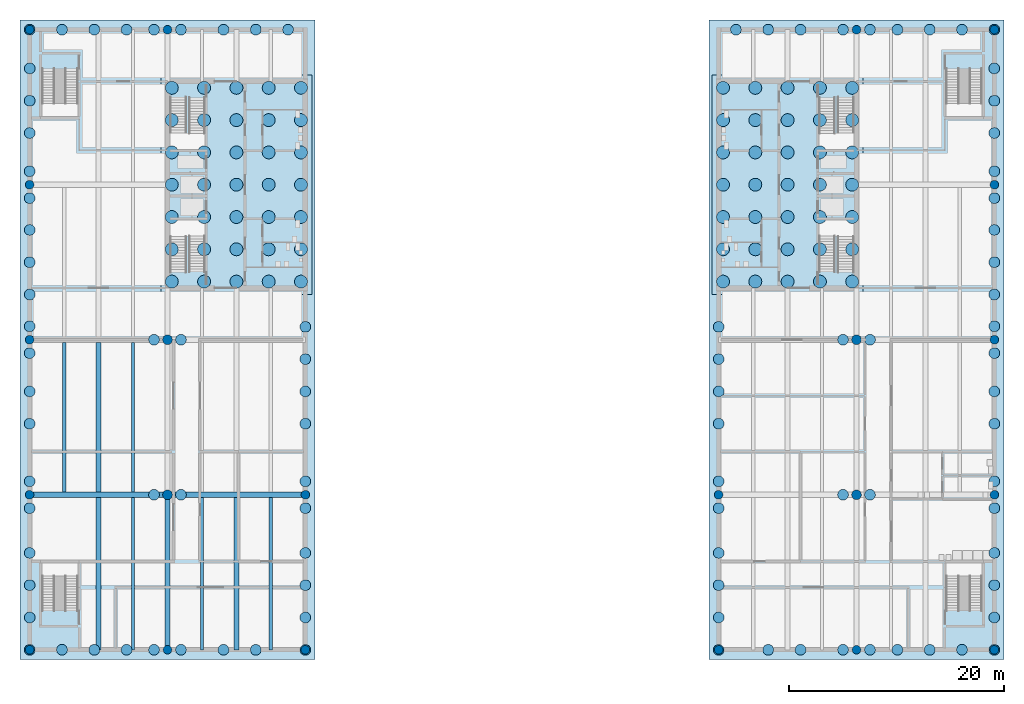
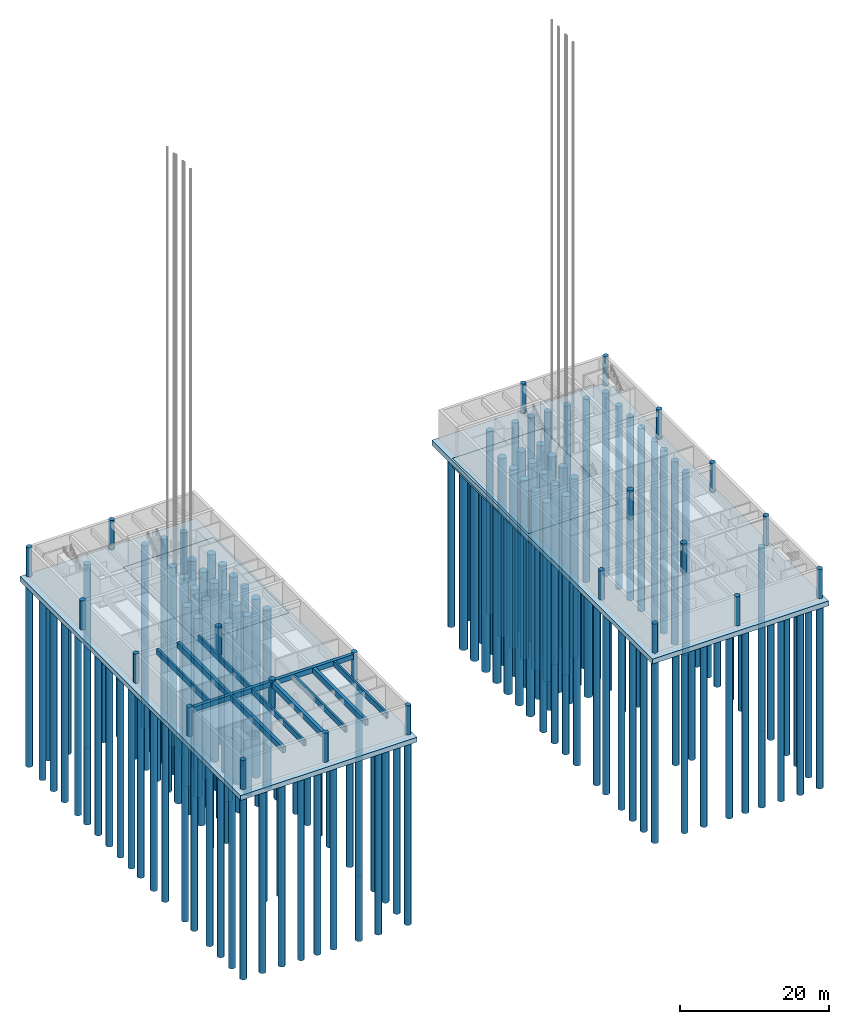
# One storey, part 1 of 24: 166 piles, 22 columns, 11 beams, 4 footings.
"""IFC4 building model written with IfcOpenShell, lengths in metres."""

from ifc_helpers import new_model, si_unit, direction, frame, origin, origin_2d, place, context, subcontext, project, spatial, polyline, rectangle, circle, outline, extrude, material, layer, layer_set, material_profile, profile_set, type_object, element, save


model = new_model("IFC4")

# Units and contexts
model_context = context("Model", 3, precision=1e-05, world=origin(), true_north=direction((0.0, 1.0)))
body_context = subcontext(model_context, "Body", "Model", "MODEL_VIEW")
ifc_project = project(units=[si_unit("LENGTHUNIT", "METRE"), si_unit("AREAUNIT", "SQUARE_METRE"), si_unit("VOLUMEUNIT", "CUBIC_METRE"), si_unit("PLANEANGLEUNIT", "RADIAN"), si_unit("MASSUNIT", "GRAM", prefix="KILO")], contexts=[model_context])

# Site, building, storey
site_placement = place(None, origin())
site = spatial("IfcSite", under=ifc_project, at=site_placement, CompositionType="ELEMENT")
building_placement = place(site_placement, origin())
building = spatial("IfcBuilding", under=site, at=building_placement, Name="Fogon Plaza Fire Station and Headquarters Tower", CompositionType="ELEMENT")
storey_placement = place(building_placement, frame((0.0, 0.0, -4.800048828125)))
storey = spatial("IfcBuildingStorey", under=building, at=storey_placement, Name="B1", CompositionType="ELEMENT", Elevation=-4.800048828125)

# Piles
ifc_material_1 = material(Name="Concrete C40", Category="concrete")
ifc_material_profile_1 = material_profile(ifc_material_1, circle(Radius=0.5, at=origin_2d()), Name="RC D1000")
ifc_profile_set_1 = profile_set([ifc_material_profile_1], Name="Concrete C40")
pile_type_1 = type_object("IfcPileType", Name="PILE RC D1000", PredefinedType="BORED", material=ifc_profile_set_1)
for number, where, z_axis, x_axis, name in (
    (1, (0.0, 0.0, -1.099853515625), (0.0, 0.0, -1.0), (1.0, 0.0, 0.0), "pile-raftW-01"),
    (2, (0.0, 13.14990234375, -1.099853515625), (0.0, 0.0, -1.0), (1.0, 0.0, 0.0), "pile-raftW-02"),
    (3, (0.0, 15.64990234375, -1.099853515625), (0.0, 0.0, -1.0), (1.0, 0.0, 0.0), "pile-raftW-03"),
    (4, (0.0, 27.550048828125, -1.099853515625), (0.0, 0.0, -1.0), (1.0, 0.0, 0.0), "pile-raftW-04"),
    (5, (0.0, 30.050048828125, -1.099853515625), (0.0, 0.0, -1.0), (1.0, 0.0, 0.0), "pile-raftW-05"),
    (6, (0.0, 41.949951171875, -1.099853515625), (0.0, 0.0, -1.0), (1.0, 0.0, 0.0), "pile-raftW-06"),
    (7, (0.0, 44.449951171875, -1.099853515625), (0.0, 0.0, -1.0), (1.0, 0.0, 0.0), "pile-raftW-07"),
    (8, (0.0, 57.60009765625, -1.099853515625), (0.0, 0.0, -1.0), (1.0, 0.0, 0.0), "pile-raftW-08"),
    (9, (11.550048828125, 0.0, -1.099853515625), (0.0, 0.0, -1.0), (1.0, 0.0, 0.0), "pile-raftW-09"),
    (10, (14.050048828125, 0.0, -1.099853515625), (0.0, 0.0, -1.0), (1.0, 0.0, 0.0), "pile-raftW-10"),
    (11, (11.550048828125, 14.39990234375, -1.099853515625), (0.0, 0.0, -1.0), (1.0, 0.0, 0.0), "pile-raftW-11"),
    (12, (14.050048828125, 14.39990234375, -1.099853515625), (0.0, 0.0, -1.0), (1.0, 0.0, 0.0), "pile-raftW-12"),
    (13, (11.550048828125, 28.800048828125, -1.099853515625), (0.0, 0.0, -1.0), (1.0, 0.0, 0.0), "pile-raftW-13"),
    (14, (14.050048828125, 28.800048828125, -1.099853515625), (0.0, 0.0, -1.0), (1.0, 0.0, 0.0), "pile-raftW-14"),
    (15, (11.550048828125, 57.60009765625, -1.099853515625), (0.0, 0.0, -1.0), (1.0, 0.0, 0.0), "pile-raftW-15"),
    (16, (14.050048828125, 57.60009765625, -1.099853515625), (0.0, 0.0, -1.0), (1.0, 0.0, 0.0), "pile-raftW-16"),
    (17, (25.60009765625, 0.0, -1.099853515625), (0.0, 0.0, -1.0), (1.0, 0.0, 0.0), "pile-raftW-17"),
    (18, (25.60009765625, 13.14990234375, -1.099853515625), (0.0, 0.0, -1.0), (1.0, 0.0, 0.0), "pile-raftW-18"),
    (19, (25.60009765625, 15.64990234375, -1.099853515625), (0.0, 0.0, -1.0), (1.0, 0.0, 0.0), "pile-raftW-19"),
    (20, (89.60009765625, 0.0, -1.099853515625), (0.0, 0.0, -1.0), (1.0, 0.0, 0.0), "pile-raftE-01"),
    (21, (89.60009765625, 13.14990234375, -1.099853515625), (0.0, 0.0, -1.0), (1.0, 0.0, 0.0), "pile-raftE-02"),
    (22, (89.60009765625, 15.64990234375, -1.099853515625), (0.0, 0.0, -1.0), (1.0, 0.0, 0.0), "pile-raftE-03"),
    (23, (89.60009765625, 27.550048828125, -1.099853515625), (0.0, 0.0, -1.0), (1.0, 0.0, 0.0), "pile-raftE-04"),
    (24, (89.60009765625, 30.050048828125, -1.099853515625), (0.0, 0.0, -1.0), (1.0, 0.0, 0.0), "pile-raftE-05"),
    (25, (89.60009765625, 41.949951171875, -1.099853515625), (0.0, 0.0, -1.0), (1.0, 0.0, 0.0), "pile-raftE-06"),
    (26, (89.60009765625, 44.449951171875, -1.099853515625), (0.0, 0.0, -1.0), (1.0, 0.0, 0.0), "pile-raftE-07"),
    (27, (89.60009765625, 57.60009765625, -1.099853515625), (0.0, 0.0, -1.0), (1.0, 0.0, 0.0), "pile-raftE-08"),
    (28, (75.550048828125, 0.0, -1.099853515625), (0.0, 0.0, -1.0), (1.0, 0.0, 0.0), "pile-raftE-09"),
    (29, (78.050048828125, 0.0, -1.099853515625), (0.0, 0.0, -1.0), (1.0, 0.0, 0.0), "pile-raftE-10"),
    (30, (75.550048828125, 14.39990234375, -1.099853515625), (0.0, 0.0, -1.0), (1.0, 0.0, 0.0), "pile-raftE-11"),
    (31, (78.050048828125, 14.39990234375, -1.099853515625), (0.0, 0.0, -1.0), (1.0, 0.0, 0.0), "pile-raftE-12"),
    (32, (75.550048828125, 28.800048828125, -1.099853515625), (0.0, 0.0, -1.0), (1.0, 0.0, 0.0), "pile-raftE-13"),
    (33, (78.050048828125, 28.800048828125, -1.099853515625), (0.0, 0.0, -1.0), (1.0, 0.0, 0.0), "pile-raftE-14"),
    (34, (75.550048828125, 57.60009765625, -1.099853515625), (0.0, 0.0, -1.0), (1.0, 0.0, 0.0), "pile-raftE-15"),
    (35, (78.050048828125, 57.60009765625, -1.099853515625), (0.0, 0.0, -1.0), (1.0, 0.0, 0.0), "pile-raftE-16"),
    (36, (64.0, 0.0, -1.099853515625), (0.0, 0.0, -1.0), (1.0, 0.0, 0.0), "pile-raftE-17"),
    (37, (64.0, 13.14990234375, -1.099853515625), (0.0, 0.0, -1.0), (1.0, 0.0, 0.0), "pile-raftE-18"),
    (38, (64.0, 15.64990234375, -1.099853515625), (0.0, 0.0, -1.0), (1.0, 0.0, 0.0), "pile-raftE-19"),
    (39, (0.0, 3.0, -1.099853515625), (0.0, 0.0, -1.0), (1.0, 0.0, 0.0), "pile-raftW-20"),
    (40, (0.0, 6.0, -1.099853515625), (0.0, 0.0, -1.0), (1.0, 0.0, 0.0), "pile-raftW-21"),
    (41, (0.0, 9.0, -1.099853515625), (0.0, 0.0, -1.0), (1.0, 0.0, 0.0), "pile-raftW-22"),
    (42, (0.0, 21.0, -1.099853515625), (0.0, 0.0, -1.0), (1.0, 0.0, 0.0), "pile-raftW-23"),
    (43, (0.0, 24.0, -1.099853515625), (0.0, 0.0, -1.0), (1.0, 0.0, 0.0), "pile-raftW-24"),
    (44, (0.0, 33.0, -1.099853515625), (0.0, 0.0, -1.0), (1.0, 0.0, 0.0), "pile-raftW-25"),
    (45, (0.0, 36.0, -1.099853515625), (0.0, 0.0, -1.0), (1.0, 0.0, 0.0), "pile-raftW-26"),
    (46, (0.0, 39.0, -1.099853515625), (0.0, 0.0, -1.0), (1.0, 0.0, 0.0), "pile-raftW-27"),
    (47, (0.0, 48.0, -1.099853515625), (0.0, 0.0, -1.0), (1.0, 0.0, 0.0), "pile-raftW-28"),
    (48, (0.0, 51.0, -1.099853515625), (0.0, 0.0, -1.0), (1.0, 0.0, 0.0), "pile-raftW-29"),
    (49, (0.0, 54.0, -1.099853515625), (0.0, 0.0, -1.0), (1.0, 0.0, 0.0), "pile-raftW-30"),
    (50, (3.0, 0.0, -1.099853515625), (0.0, 0.0, -1.0), (1.0, 0.0, 0.0), "pile-raftW-31"),
    (51, (6.0, 0.0, -1.099853515625), (0.0, 0.0, -1.0), (1.0, 0.0, 0.0), "pile-raftW-32"),
    (52, (9.0, 0.0, -1.099853515625), (0.0, 0.0, -1.0), (1.0, 0.0, 0.0), "pile-raftW-33"),
    (53, (18.0, 0.0, -1.099853515625), (0.0, 0.0, -1.0), (1.0, 0.0, 0.0), "pile-raftW-34"),
    (54, (21.0, 0.0, -1.099853515625), (0.0, 0.0, -1.0), (1.0, 0.0, 0.0), "pile-raftW-35"),
    (55, (3.0, 57.60009765625, -1.099853515625), (0.0, 0.0, -1.0), (1.0, 0.0, 0.0), "pile-raftW-36"),
    (56, (6.0, 57.60009765625, -1.099853515625), (0.0, 0.0, -1.0), (1.0, 0.0, 0.0), "pile-raftW-37"),
    (57, (9.0, 57.60009765625, -1.099853515625), (0.0, 0.0, -1.0), (1.0, 0.0, 0.0), "pile-raftW-38"),
    (58, (18.0, 57.60009765625, -1.099853515625), (0.0, 0.0, -1.0), (1.0, 0.0, 0.0), "pile-raftW-39"),
    (59, (21.0, 57.60009765625, -1.099853515625), (0.0, 0.0, -1.0), (1.0, 0.0, 0.0), "pile-raftW-40"),
    (60, (24.0, 57.60009765625, -1.099853515625), (0.0, 0.0, -1.0), (1.0, 0.0, 0.0), "pile-raftW-41"),
    (61, (25.60009765625, 3.0, -1.099853515625), (0.0, 0.0, -1.0), (1.0, 0.0, 0.0), "pile-raftW-42"),
    (62, (25.60009765625, 6.0, -1.099853515625), (0.0, 0.0, -1.0), (1.0, 0.0, 0.0), "pile-raftW-43"),
    (63, (25.60009765625, 9.0, -1.099853515625), (0.0, 0.0, -1.0), (1.0, 0.0, 0.0), "pile-raftW-44"),
    (64, (25.60009765625, 21.0, -1.099853515625), (0.0, 0.0, -1.0), (1.0, 0.0, 0.0), "pile-raftW-45"),
    (65, (25.60009765625, 24.0, -1.099853515625), (0.0, 0.0, -1.0), (1.0, 0.0, 0.0), "pile-raftW-46"),
    (66, (25.60009765625, 27.0, -1.099853515625), (0.0, 0.0, -1.0), (1.0, 0.0, 0.0), "pile-raftW-47"),
    (67, (25.60009765625, 30.0, -1.099853515625), (0.0, 0.0, -1.0), (1.0, 0.0, 0.0), "pile-raftW-48"),
    (68, (89.60009765625, 3.0, -1.099853515625), (0.0, 0.0, -1.0), (1.0, 0.0, 0.0), "pile-raftE-20"),
    (69, (89.60009765625, 6.0, -1.099853515625), (0.0, 0.0, -1.0), (1.0, 0.0, 0.0), "pile-raftE-21"),
    (70, (89.60009765625, 9.0, -1.099853515625), (0.0, 0.0, -1.0), (1.0, 0.0, 0.0), "pile-raftE-22"),
    (71, (89.60009765625, 21.0, -1.099853515625), (0.0, 0.0, -1.0), (1.0, 0.0, 0.0), "pile-raftE-23"),
    (72, (89.60009765625, 24.0, -1.099853515625), (0.0, 0.0, -1.0), (1.0, 0.0, 0.0), "pile-raftE-24"),
    (73, (89.60009765625, 33.0, -1.099853515625), (0.0, 0.0, -1.0), (1.0, 0.0, 0.0), "pile-raftE-25"),
    (74, (89.60009765625, 36.0, -1.099853515625), (0.0, 0.0, -1.0), (1.0, 0.0, 0.0), "pile-raftE-26"),
    (75, (89.60009765625, 39.0, -1.099853515625), (0.0, 0.0, -1.0), (1.0, 0.0, 0.0), "pile-raftE-27"),
    (76, (89.60009765625, 48.0, -1.099853515625), (0.0, 0.0, -1.0), (1.0, 0.0, 0.0), "pile-raftE-28"),
    (77, (89.60009765625, 51.0, -1.099853515625), (0.0, 0.0, -1.0), (1.0, 0.0, 0.0), "pile-raftE-29"),
    (78, (89.60009765625, 54.0, -1.099853515625), (0.0, 0.0, -1.0), (1.0, 0.0, 0.0), "pile-raftE-30"),
    (79, (86.60009765625, 0.0, -1.099853515625), (0.0, 0.0, -1.0), (1.0, 0.0, 0.0), "pile-raftE-31"),
    (80, (83.60009765625, 0.0, -1.099853515625), (0.0, 0.0, -1.0), (1.0, 0.0, 0.0), "pile-raftE-32"),
    (81, (80.60009765625, 0.0, -1.099853515625), (0.0, 0.0, -1.0), (1.0, 0.0, 0.0), "pile-raftE-33"),
    (82, (71.60009765625, 0.0, -1.099853515625), (0.0, 0.0, -1.0), (1.0, 0.0, 0.0), "pile-raftE-34"),
    (83, (68.60009765625, 0.0, -1.099853515625), (0.0, 0.0, -1.0), (1.0, 0.0, 0.0), "pile-raftE-35"),
    (84, (86.60009765625, 57.60009765625, -1.099853515625), (0.0, 0.0, -1.0), (1.0, 0.0, 0.0), "pile-raftE-36"),
    (85, (83.60009765625, 57.60009765625, -1.099853515625), (0.0, 0.0, -1.0), (1.0, 0.0, 0.0), "pile-raftE-37"),
    (86, (80.60009765625, 57.60009765625, -1.099853515625), (0.0, 0.0, -1.0), (1.0, 0.0, 0.0), "pile-raftE-38"),
    (87, (71.60009765625, 57.60009765625, -1.099853515625), (0.0, 0.0, -1.0), (1.0, 0.0, 0.0), "pile-raftE-39"),
    (88, (68.60009765625, 57.60009765625, -1.099853515625), (0.0, 0.0, -1.0), (1.0, 0.0, 0.0), "pile-raftE-40"),
    (89, (65.60009765625, 57.60009765625, -1.099853515625), (0.0, 0.0, -1.0), (1.0, 0.0, 0.0), "pile-raftE-41"),
    (90, (64.0, 3.0, -1.099853515625), (0.0, 0.0, -1.0), (1.0, 0.0, 0.0), "pile-raftE-42"),
    (91, (64.0, 6.0, -1.099853515625), (0.0, 0.0, -1.0), (1.0, 0.0, 0.0), "pile-raftE-43"),
    (92, (64.0, 9.0, -1.099853515625), (0.0, 0.0, -1.0), (1.0, 0.0, 0.0), "pile-raftE-44"),
    (93, (64.0, 21.0, -1.099853515625), (0.0, 0.0, -1.0), (1.0, 0.0, 0.0), "pile-raftE-45"),
    (94, (64.0, 24.0, -1.099853515625), (0.0, 0.0, -1.0), (1.0, 0.0, 0.0), "pile-raftE-46"),
    (95, (64.0, 27.0, -1.099853515625), (0.0, 0.0, -1.0), (1.0, 0.0, 0.0), "pile-raftE-47"),
    (96, (64.0, 30.0, -1.099853515625), (0.0, 0.0, -1.0), (1.0, 0.0, 0.0), "pile-raftE-48"),
):
    element("IfcPile", number, at=place(storey_placement, frame(where, z_axis=z_axis, x_axis=x_axis)), inside=storey, type_object=pile_type_1, Name=name, PredefinedType="BORED", context=body_context, shape_type="SweptSolid", body=[
        extrude(circle(Radius=0.5, at=origin_2d()), origin(), (0.0, 0.0, 1.0), 30.10009765625),
    ])
ifc_material_2 = material(Name="Concrete C40", Category="concrete")
ifc_material_profile_2 = material_profile(ifc_material_2, circle(Radius=0.60009765625, at=origin_2d()), Name="RC D1200")
ifc_profile_set_2 = profile_set([ifc_material_profile_2], Name="Concrete C40")
pile_type_2 = type_object("IfcPileType", Name="PILE RC D1200", PredefinedType="BORED", material=ifc_profile_set_2)
for number, where, z_axis, x_axis, name in (
    (97, (13.199951171875, 34.199951171875, -1.800048828125), (0.0, 0.0, -1.0), (1.0, 0.0, 0.0), "pile-coreA-01"),
    (98, (13.199951171875, 37.199951171875, -1.800048828125), (0.0, 0.0, -1.0), (1.0, 0.0, 0.0), "pile-coreA-02"),
    (99, (13.199951171875, 40.199951171875, -1.800048828125), (0.0, 0.0, -1.0), (1.0, 0.0, 0.0), "pile-coreA-03"),
    (100, (13.199951171875, 43.199951171875, -1.800048828125), (0.0, 0.0, -1.0), (1.0, 0.0, 0.0), "pile-coreA-04"),
    (101, (13.199951171875, 46.199951171875, -1.800048828125), (0.0, 0.0, -1.0), (1.0, 0.0, 0.0), "pile-coreA-05"),
    (102, (13.199951171875, 49.199951171875, -1.800048828125), (0.0, 0.0, -1.0), (1.0, 0.0, 0.0), "pile-coreA-06"),
    (103, (13.199951171875, 52.199951171875, -1.800048828125), (0.0, 0.0, -1.0), (1.0, 0.0, 0.0), "pile-coreA-07"),
    (104, (16.199951171875, 34.199951171875, -1.800048828125), (0.0, 0.0, -1.0), (1.0, 0.0, 0.0), "pile-coreA-08"),
    (105, (16.199951171875, 37.199951171875, -1.800048828125), (0.0, 0.0, -1.0), (1.0, 0.0, 0.0), "pile-coreA-09"),
    (106, (16.199951171875, 40.199951171875, -1.800048828125), (0.0, 0.0, -1.0), (1.0, 0.0, 0.0), "pile-coreA-10"),
    (107, (16.199951171875, 43.199951171875, -1.800048828125), (0.0, 0.0, -1.0), (1.0, 0.0, 0.0), "pile-coreA-11"),
    (108, (16.199951171875, 46.199951171875, -1.800048828125), (0.0, 0.0, -1.0), (1.0, 0.0, 0.0), "pile-coreA-12"),
    (109, (16.199951171875, 49.199951171875, -1.800048828125), (0.0, 0.0, -1.0), (1.0, 0.0, 0.0), "pile-coreA-13"),
    (110, (16.199951171875, 52.199951171875, -1.800048828125), (0.0, 0.0, -1.0), (1.0, 0.0, 0.0), "pile-coreA-14"),
    (111, (19.199951171875, 34.199951171875, -1.800048828125), (0.0, 0.0, -1.0), (1.0, 0.0, 0.0), "pile-coreA-15"),
    (112, (19.199951171875, 37.199951171875, -1.800048828125), (0.0, 0.0, -1.0), (1.0, 0.0, 0.0), "pile-coreA-16"),
    (113, (19.199951171875, 40.199951171875, -1.800048828125), (0.0, 0.0, -1.0), (1.0, 0.0, 0.0), "pile-coreA-17"),
    (114, (19.199951171875, 43.199951171875, -1.800048828125), (0.0, 0.0, -1.0), (1.0, 0.0, 0.0), "pile-coreA-18"),
    (115, (19.199951171875, 46.199951171875, -1.800048828125), (0.0, 0.0, -1.0), (1.0, 0.0, 0.0), "pile-coreA-19"),
    (116, (19.199951171875, 49.199951171875, -1.800048828125), (0.0, 0.0, -1.0), (1.0, 0.0, 0.0), "pile-coreA-20"),
    (117, (19.199951171875, 52.199951171875, -1.800048828125), (0.0, 0.0, -1.0), (1.0, 0.0, 0.0), "pile-coreA-21"),
    (118, (22.199951171875, 34.199951171875, -1.800048828125), (0.0, 0.0, -1.0), (1.0, 0.0, 0.0), "pile-coreA-22"),
    (119, (22.199951171875, 37.199951171875, -1.800048828125), (0.0, 0.0, -1.0), (1.0, 0.0, 0.0), "pile-coreA-23"),
    (120, (22.199951171875, 40.199951171875, -1.800048828125), (0.0, 0.0, -1.0), (1.0, 0.0, 0.0), "pile-coreA-24"),
    (121, (22.199951171875, 43.199951171875, -1.800048828125), (0.0, 0.0, -1.0), (1.0, 0.0, 0.0), "pile-coreA-25"),
    (122, (22.199951171875, 46.199951171875, -1.800048828125), (0.0, 0.0, -1.0), (1.0, 0.0, 0.0), "pile-coreA-26"),
    (123, (22.199951171875, 49.199951171875, -1.800048828125), (0.0, 0.0, -1.0), (1.0, 0.0, 0.0), "pile-coreA-27"),
    (124, (22.199951171875, 52.199951171875, -1.800048828125), (0.0, 0.0, -1.0), (1.0, 0.0, 0.0), "pile-coreA-28"),
    (125, (25.199951171875, 34.199951171875, -1.800048828125), (0.0, 0.0, -1.0), (1.0, 0.0, 0.0), "pile-coreA-29"),
    (126, (25.199951171875, 37.199951171875, -1.800048828125), (0.0, 0.0, -1.0), (1.0, 0.0, 0.0), "pile-coreA-30"),
    (127, (25.199951171875, 40.199951171875, -1.800048828125), (0.0, 0.0, -1.0), (1.0, 0.0, 0.0), "pile-coreA-31"),
    (128, (25.199951171875, 43.199951171875, -1.800048828125), (0.0, 0.0, -1.0), (1.0, 0.0, 0.0), "pile-coreA-32"),
    (129, (25.199951171875, 46.199951171875, -1.800048828125), (0.0, 0.0, -1.0), (1.0, 0.0, 0.0), "pile-coreA-33"),
    (130, (25.199951171875, 49.199951171875, -1.800048828125), (0.0, 0.0, -1.0), (1.0, 0.0, 0.0), "pile-coreA-34"),
    (131, (25.199951171875, 52.199951171875, -1.800048828125), (0.0, 0.0, -1.0), (1.0, 0.0, 0.0), "pile-coreA-35"),
    (132, (64.39990234375, 34.199951171875, -1.800048828125), (0.0, 0.0, -1.0), (1.0, 0.0, 0.0), "pile-coreB-01"),
    (133, (64.39990234375, 37.199951171875, -1.800048828125), (0.0, 0.0, -1.0), (1.0, 0.0, 0.0), "pile-coreB-02"),
    (134, (64.39990234375, 40.199951171875, -1.800048828125), (0.0, 0.0, -1.0), (1.0, 0.0, 0.0), "pile-coreB-03"),
    (135, (64.39990234375, 43.199951171875, -1.800048828125), (0.0, 0.0, -1.0), (1.0, 0.0, 0.0), "pile-coreB-04"),
    (136, (64.39990234375, 46.199951171875, -1.800048828125), (0.0, 0.0, -1.0), (1.0, 0.0, 0.0), "pile-coreB-05"),
    (137, (64.39990234375, 49.199951171875, -1.800048828125), (0.0, 0.0, -1.0), (1.0, 0.0, 0.0), "pile-coreB-06"),
    (138, (64.39990234375, 52.199951171875, -1.800048828125), (0.0, 0.0, -1.0), (1.0, 0.0, 0.0), "pile-coreB-07"),
    (139, (67.39990234375, 34.199951171875, -1.800048828125), (0.0, 0.0, -1.0), (1.0, 0.0, 0.0), "pile-coreB-08"),
    (140, (67.39990234375, 37.199951171875, -1.800048828125), (0.0, 0.0, -1.0), (1.0, 0.0, 0.0), "pile-coreB-09"),
    (141, (67.39990234375, 40.199951171875, -1.800048828125), (0.0, 0.0, -1.0), (1.0, 0.0, 0.0), "pile-coreB-10"),
    (142, (67.39990234375, 43.199951171875, -1.800048828125), (0.0, 0.0, -1.0), (1.0, 0.0, 0.0), "pile-coreB-11"),
    (143, (67.39990234375, 46.199951171875, -1.800048828125), (0.0, 0.0, -1.0), (1.0, 0.0, 0.0), "pile-coreB-12"),
    (144, (67.39990234375, 49.199951171875, -1.800048828125), (0.0, 0.0, -1.0), (1.0, 0.0, 0.0), "pile-coreB-13"),
    (145, (67.39990234375, 52.199951171875, -1.800048828125), (0.0, 0.0, -1.0), (1.0, 0.0, 0.0), "pile-coreB-14"),
    (146, (70.39990234375, 34.199951171875, -1.800048828125), (0.0, 0.0, -1.0), (1.0, 0.0, 0.0), "pile-coreB-15"),
    (147, (70.39990234375, 37.199951171875, -1.800048828125), (0.0, 0.0, -1.0), (1.0, 0.0, 0.0), "pile-coreB-16"),
    (148, (70.39990234375, 40.199951171875, -1.800048828125), (0.0, 0.0, -1.0), (1.0, 0.0, 0.0), "pile-coreB-17"),
    (149, (70.39990234375, 43.199951171875, -1.800048828125), (0.0, 0.0, -1.0), (1.0, 0.0, 0.0), "pile-coreB-18"),
    (150, (70.39990234375, 46.199951171875, -1.800048828125), (0.0, 0.0, -1.0), (1.0, 0.0, 0.0), "pile-coreB-19"),
    (151, (70.39990234375, 49.199951171875, -1.800048828125), (0.0, 0.0, -1.0), (1.0, 0.0, 0.0), "pile-coreB-20"),
    (152, (70.39990234375, 52.199951171875, -1.800048828125), (0.0, 0.0, -1.0), (1.0, 0.0, 0.0), "pile-coreB-21"),
    (153, (73.39990234375, 34.199951171875, -1.800048828125), (0.0, 0.0, -1.0), (1.0, 0.0, 0.0), "pile-coreB-22"),
    (154, (73.39990234375, 37.199951171875, -1.800048828125), (0.0, 0.0, -1.0), (1.0, 0.0, 0.0), "pile-coreB-23"),
    (155, (73.39990234375, 40.199951171875, -1.800048828125), (0.0, 0.0, -1.0), (1.0, 0.0, 0.0), "pile-coreB-24"),
    (156, (73.39990234375, 43.199951171875, -1.800048828125), (0.0, 0.0, -1.0), (1.0, 0.0, 0.0), "pile-coreB-25"),
    (157, (73.39990234375, 46.199951171875, -1.800048828125), (0.0, 0.0, -1.0), (1.0, 0.0, 0.0), "pile-coreB-26"),
    (158, (73.39990234375, 49.199951171875, -1.800048828125), (0.0, 0.0, -1.0), (1.0, 0.0, 0.0), "pile-coreB-27"),
    (159, (73.39990234375, 52.199951171875, -1.800048828125), (0.0, 0.0, -1.0), (1.0, 0.0, 0.0), "pile-coreB-28"),
    (160, (76.39990234375, 34.199951171875, -1.800048828125), (0.0, 0.0, -1.0), (1.0, 0.0, 0.0), "pile-coreB-29"),
    (161, (76.39990234375, 37.199951171875, -1.800048828125), (0.0, 0.0, -1.0), (1.0, 0.0, 0.0), "pile-coreB-30"),
    (162, (76.39990234375, 40.199951171875, -1.800048828125), (0.0, 0.0, -1.0), (1.0, 0.0, 0.0), "pile-coreB-31"),
    (163, (76.39990234375, 43.199951171875, -1.800048828125), (0.0, 0.0, -1.0), (1.0, 0.0, 0.0), "pile-coreB-32"),
    (164, (76.39990234375, 46.199951171875, -1.800048828125), (0.0, 0.0, -1.0), (1.0, 0.0, 0.0), "pile-coreB-33"),
    (165, (76.39990234375, 49.199951171875, -1.800048828125), (0.0, 0.0, -1.0), (1.0, 0.0, 0.0), "pile-coreB-34"),
    (166, (76.39990234375, 52.199951171875, -1.800048828125), (0.0, 0.0, -1.0), (1.0, 0.0, 0.0), "pile-coreB-35"),
):
    element("IfcPile", number, at=place(storey_placement, frame(where, z_axis=z_axis, x_axis=x_axis)), inside=storey, type_object=pile_type_2, Name=name, PredefinedType="BORED", context=body_context, shape_type="SweptSolid", body=[
        extrude(circle(Radius=0.60009765625, at=origin_2d()), origin(), (0.0, 0.0, 1.0), 29.39990234375),
    ])

# Footings
ifc_material_3 = material(Name="Concrete C40", Category="concrete")
ifc_layer_1 = layer(ifc_material_3, 1.5)
ifc_layer_set_1 = layer_set([ifc_layer_1], Name="Concrete C40")
footing_type_1 = type_object("IfcFootingType", Name="Pile cap 1500 RF15", PredefinedType="PILE_CAP", material=ifc_layer_set_1)
footing_1_placement = place(storey_placement, frame((0.0, 0.0, -1.89990234375)))
element("IfcFooting", 167, at=footing_1_placement, inside=storey, type_object=footing_type_1, Name="cap-coreA", PredefinedType="PILE_CAP", context=body_context, shape_type="SweptSolid", body=[
    extrude(outline(polyline([(26.199951171875, 33.0), (26.199951171875, 53.39990234375), (12.199951171875, 53.39990234375), (12.199951171875, 33.0), (26.199951171875, 33.0)])), origin(), (0.0, 0.0, 1.0), 1.5),
])
footing_2_placement = place(storey_placement, frame((0.0, 0.0, -1.89990234375)))
element("IfcFooting", 168, at=footing_2_placement, inside=storey, type_object=footing_type_1, Name="cap-coreB", PredefinedType="PILE_CAP", context=body_context, shape_type="SweptSolid", body=[
    extrude(outline(polyline([(77.39990234375, 33.0), (77.39990234375, 53.39990234375), (63.39990234375, 53.39990234375), (63.39990234375, 33.0), (77.39990234375, 33.0)])), origin(), (0.0, 0.0, 1.0), 1.5),
])
ifc_material_4 = material(Name="Concrete C40", Category="concrete")
ifc_layer_2 = layer(ifc_material_4, 0.800048828125)
ifc_layer_set_2 = layer_set([ifc_layer_2], Name="Concrete C40")
footing_type_2 = type_object("IfcFootingType", Name="Pile cap 800 RF08", PredefinedType="PILE_CAP", material=ifc_layer_set_2)
footing_3_placement = place(storey_placement, frame((0.0, 0.0, -1.199951171875)))
element("IfcFooting", 169, at=footing_3_placement, inside=storey, type_object=footing_type_2, Name="cap-raftW", PredefinedType="PILE_CAP", context=body_context, shape_type="SweptSolid", body=[
    extrude(outline(polyline([(-0.89990234375, -0.89990234375), (-0.89990234375, 58.5), (26.5, 58.5), (26.5, -0.89990234375), (-0.89990234375, -0.89990234375)]), holes=[polyline([(26.199951171875, 53.39990234375), (12.199951171875, 53.39990234375), (12.199951171875, 33.0), (26.199951171875, 33.0), (26.199951171875, 53.39990234375)])]), origin(), (0.0, 0.0, 1.0), 0.800048828125),
])
footing_4_placement = place(storey_placement, frame((0.0, 0.0, -1.199951171875)))
element("IfcFooting", 170, at=footing_4_placement, inside=storey, type_object=footing_type_2, Name="cap-raftE", PredefinedType="PILE_CAP", context=body_context, shape_type="SweptSolid", body=[
    extrude(outline(polyline([(90.5, -0.89990234375), (90.5, 58.5), (63.10009765625, 58.5), (63.10009765625, -0.89990234375), (90.5, -0.89990234375)]), holes=[polyline([(63.39990234375, 53.39990234375), (77.39990234375, 53.39990234375), (77.39990234375, 33.0), (63.39990234375, 33.0), (63.39990234375, 53.39990234375)])]), origin(), (0.0, 0.0, 1.0), 0.800048828125),
])

# Columns
ifc_material_5 = material(Name="Concrete C40", Category="concrete")
ifc_material_profile_3 = material_profile(ifc_material_5, circle(Radius=0.39990234375, at=origin_2d()), Name="RC D800")
ifc_profile_set_3 = profile_set([ifc_material_profile_3], Name="Concrete C40")
column_type_1 = type_object("IfcColumnType", Name="COLUMN RC D800", PredefinedType="COLUMN", material=ifc_profile_set_3)
for number, where, z_axis, x_axis, name in (
    (171, (0.0, 0.0, 0.0), (0.0, 0.0, 1.0), (1.0, 0.0, 0.0), "col-B1-1A"),
    (172, (0.0, 14.39990234375, 0.0), (0.0, 0.0, 1.0), (1.0, 0.0, 0.0), "col-B1-1B"),
    (173, (0.0, 28.800048828125, 0.0), (0.0, 0.0, 1.0), (1.0, 0.0, 0.0), "col-B1-1D"),
    (174, (0.0, 43.199951171875, 0.0), (0.0, 0.0, 1.0), (1.0, 0.0, 0.0), "col-B1-1F"),
    (175, (0.0, 57.60009765625, 0.0), (0.0, 0.0, 1.0), (1.0, 0.0, 0.0), "col-B1-1H"),
    (176, (12.800048828125, 0.0, 0.0), (0.0, 0.0, 1.0), (1.0, 0.0, 0.0), "col-B1-2A"),
    (177, (12.800048828125, 57.60009765625, 0.0), (0.0, 0.0, 1.0), (1.0, 0.0, 0.0), "col-B1-2H"),
    (178, (25.60009765625, 0.0, 0.0), (0.0, 0.0, 1.0), (1.0, 0.0, 0.0), "col-B1-3A"),
    (179, (25.60009765625, 14.39990234375, 0.0), (0.0, 0.0, 1.0), (1.0, 0.0, 0.0), "col-B1-3B"),
    (180, (89.60009765625, 0.0, 0.0), (0.0, 0.0, 1.0), (1.0, 0.0, 0.0), "col-B1-11A"),
    (181, (89.60009765625, 14.39990234375, 0.0), (0.0, 0.0, 1.0), (1.0, 0.0, 0.0), "col-B1-11B"),
    (182, (89.60009765625, 28.800048828125, 0.0), (0.0, 0.0, 1.0), (1.0, 0.0, 0.0), "col-B1-11D"),
    (183, (89.60009765625, 43.199951171875, 0.0), (0.0, 0.0, 1.0), (1.0, 0.0, 0.0), "col-B1-11F"),
    (184, (89.60009765625, 57.60009765625, 0.0), (0.0, 0.0, 1.0), (1.0, 0.0, 0.0), "col-B1-11H"),
    (185, (76.800048828125, 0.0, 0.0), (0.0, 0.0, 1.0), (1.0, 0.0, 0.0), "col-B1-10A"),
    (186, (76.800048828125, 57.60009765625, 0.0), (0.0, 0.0, 1.0), (1.0, 0.0, 0.0), "col-B1-10H"),
    (187, (64.0, 0.0, 0.0), (0.0, 0.0, 1.0), (1.0, 0.0, 0.0), "col-B1-9A"),
    (188, (64.0, 14.39990234375, 0.0), (0.0, 0.0, 1.0), (1.0, 0.0, 0.0), "col-B1-9B"),
):
    element("IfcColumn", number, at=place(storey_placement, frame(where, z_axis=z_axis, x_axis=x_axis)), inside=storey, type_object=column_type_1, Name=name, PredefinedType="COLUMN", context=body_context, shape_type="SweptSolid", body=[
        extrude(circle(Radius=0.39990234375, at=origin_2d()), origin(), (0.0, 0.0, 1.0), 4.800048828125),
    ])
ifc_material_6 = material(Name="Concrete C40", Category="concrete")
ifc_material_profile_4 = material_profile(ifc_material_6, circle(Radius=0.449951171875, at=origin_2d()), Name="RC D900")
ifc_profile_set_4 = profile_set([ifc_material_profile_4], Name="Concrete C40")
column_type_2 = type_object("IfcColumnType", Name="COLUMN RC D900", PredefinedType="COLUMN", material=ifc_profile_set_4)
for number, where, z_axis, x_axis, name in (
    (189, (12.800048828125, 14.39990234375, 0.0), (0.0, 0.0, 1.0), (1.0, 0.0, 0.0), "col-B1-2B"),
    (190, (12.800048828125, 28.800048828125, 0.0), (0.0, 0.0, 1.0), (1.0, 0.0, 0.0), "col-B1-2D"),
    (191, (76.800048828125, 14.39990234375, 0.0), (0.0, 0.0, 1.0), (1.0, 0.0, 0.0), "col-B1-10B"),
    (192, (76.800048828125, 28.800048828125, 0.0), (0.0, 0.0, 1.0), (1.0, 0.0, 0.0), "col-B1-10D"),
):
    element("IfcColumn", number, at=place(storey_placement, frame(where, z_axis=z_axis, x_axis=x_axis)), inside=storey, type_object=column_type_2, Name=name, PredefinedType="COLUMN", context=body_context, shape_type="SweptSolid", body=[
        extrude(circle(Radius=0.449951171875, at=origin_2d()), origin(), (0.0, 0.0, 1.0), 4.800048828125),
    ])

# Beams
ifc_material_7 = material(Name="Concrete C40", Category="concrete")
ifc_material_profile_5 = material_profile(ifc_material_7, rectangle(XDim=0.5, YDim=0.800048828125, at=origin_2d()), Name="RC 500x800")
ifc_profile_set_5 = profile_set([ifc_material_profile_5], Name="Concrete C40")
beam_type_1 = type_object("IfcBeamType", Name="BEAM RC 500x800", PredefinedType="BEAM", material=ifc_profile_set_5)
for number, where, z_axis, x_axis, name in (
    (193, (0.0, 14.39990234375, 4.10009765625), (1.0, 0.0, 0.0), (0.0, 1.0, 0.0), "beam-B1-001"),
    (194, (12.800048828125, 14.39990234375, 4.10009765625), (1.0, 0.0, 0.0), (0.0, 1.0, 0.0), "beam-B1-003"),
):
    element("IfcBeam", number, at=place(storey_placement, frame(where, z_axis=z_axis, x_axis=x_axis)), inside=storey, type_object=beam_type_1, Name=name, PredefinedType="BEAM", context=body_context, shape_type="SweptSolid", body=[
        extrude(rectangle(XDim=0.5, YDim=0.800048828125, at=origin_2d()), origin(), (0.0, 0.0, 1.0), 12.800048828125),
    ])
ifc_material_8 = material(Name="Concrete C40", Category="concrete")
ifc_material_profile_6 = material_profile(ifc_material_8, rectangle(XDim=0.5, YDim=0.89990234375, at=origin_2d()), Name="RC 500x900")
ifc_profile_set_6 = profile_set([ifc_material_profile_6], Name="Concrete C40")
beam_type_2 = type_object("IfcBeamType", Name="BEAM RC 500x900", PredefinedType="BEAM", material=ifc_profile_set_6)
beam_1_placement = place(storey_placement, frame((12.800048828125, 0.0, 4.050048828125), z_axis=(0.0, 1.0, 0.0), x_axis=(-1.0, 0.0, 0.0)))
element("IfcBeam", 195, at=beam_1_placement, inside=storey, type_object=beam_type_2, Name="beam-B1-011", PredefinedType="BEAM", context=body_context, shape_type="SweptSolid", body=[
    extrude(rectangle(XDim=0.5, YDim=0.89990234375, at=origin_2d()), origin(), (0.0, 0.0, 1.0), 14.39990234375),
])
ifc_material_9 = material(Name="Concrete C40", Category="concrete")
ifc_material_profile_7 = material_profile(ifc_material_9, rectangle(XDim=0.300048828125, YDim=0.89990234375, at=origin_2d()), Name="RC 300x900")
ifc_profile_set_7 = profile_set([ifc_material_profile_7], Name="Concrete C40")
beam_type_3 = type_object("IfcBeamType", Name="JOIST RC 300x900", PredefinedType="JOIST", material=ifc_profile_set_7)
beam_2_placement = place(storey_placement, frame((3.199951171875, 14.64990234375, 4.050048828125), z_axis=(0.0, 1.0, 0.0), x_axis=(-1.0, 0.0, 0.0)))
element("IfcBeam", 196, at=beam_2_placement, inside=storey, type_object=beam_type_3, Name="beam-B1-035", PredefinedType="JOIST", context=body_context, shape_type="SweptSolid", body=[
    extrude(rectangle(XDim=0.300048828125, YDim=0.89990234375, at=origin_2d()), origin(), (0.0, 0.0, 1.0), 13.900146484375),
])
beam_3_placement = place(storey_placement, frame((9.60009765625, 0.0, 4.050048828125), z_axis=(0.0, 1.0, 0.0), x_axis=(-1.0, 0.0, 0.0)))
element("IfcBeam", 197, at=beam_3_placement, inside=storey, type_object=beam_type_3, Name="beam-B1-039", PredefinedType="JOIST", context=body_context, shape_type="SweptSolid", body=[
    extrude(rectangle(XDim=0.300048828125, YDim=0.89990234375, at=origin_2d()), origin(), (0.0, 0.0, 1.0), 14.14990234375),
])
beam_4_placement = place(storey_placement, frame((9.60009765625, 14.64990234375, 4.050048828125), z_axis=(0.0, 1.0, 0.0), x_axis=(-1.0, 0.0, 0.0)))
element("IfcBeam", 198, at=beam_4_placement, inside=storey, type_object=beam_type_3, Name="beam-B1-041", PredefinedType="JOIST", context=body_context, shape_type="SweptSolid", body=[
    extrude(rectangle(XDim=0.300048828125, YDim=0.89990234375, at=origin_2d()), origin(), (0.0, 0.0, 1.0), 13.900146484375),
])
for number, where, z_axis, x_axis, name in (
    (199, (16.0, 0.0, 4.050048828125), (0.0, 1.0, 0.0), (-1.0, 0.0, 0.0), "beam-B1-047"),
    (200, (22.39990234375, 0.0, 4.050048828125), (0.0, 1.0, 0.0), (-1.0, 0.0, 0.0), "beam-B1-055"),
):
    element("IfcBeam", number, at=place(storey_placement, frame(where, z_axis=z_axis, x_axis=x_axis)), inside=storey, type_object=beam_type_3, Name=name, PredefinedType="JOIST", context=body_context, shape_type="SweptSolid", body=[
        extrude(rectangle(XDim=0.300048828125, YDim=0.89990234375, at=origin_2d()), origin(), (0.0, 0.0, 1.0), 14.14990234375),
    ])
ifc_material_10 = material(Name="Concrete C40", Category="concrete")
ifc_material_profile_8 = material_profile(ifc_material_10, rectangle(XDim=0.449951171875, YDim=0.89990234375, at=origin_2d()), Name="RC 450x900")
ifc_profile_set_8 = profile_set([ifc_material_profile_8], Name="Concrete C40")
beam_type_4 = type_object("IfcBeamType", Name="JOIST RC 450x900", PredefinedType="JOIST", material=ifc_profile_set_8)
beam_5_placement = place(storey_placement, frame((6.39990234375, 0.0, 4.050048828125), z_axis=(0.0, 1.0, 0.0), x_axis=(-1.0, 0.0, 0.0)))
element("IfcBeam", 201, at=beam_5_placement, inside=storey, type_object=beam_type_4, Name="beam-B1-019", PredefinedType="JOIST", context=body_context, shape_type="SweptSolid", body=[
    extrude(rectangle(XDim=0.449951171875, YDim=0.89990234375, at=origin_2d()), origin(), (0.0, 0.0, 1.0), 14.14990234375),
])
beam_6_placement = place(storey_placement, frame((6.39990234375, 14.64990234375, 4.050048828125), z_axis=(0.0, 1.0, 0.0), x_axis=(-1.0, 0.0, 0.0)))
element("IfcBeam", 202, at=beam_6_placement, inside=storey, type_object=beam_type_4, Name="beam-B1-021", PredefinedType="JOIST", context=body_context, shape_type="SweptSolid", body=[
    extrude(rectangle(XDim=0.449951171875, YDim=0.89990234375, at=origin_2d()), origin(), (0.0, 0.0, 1.0), 13.900146484375),
])
beam_7_placement = place(storey_placement, frame((19.199951171875, 0.0, 4.050048828125), z_axis=(0.0, 1.0, 0.0), x_axis=(-1.0, 0.0, 0.0)))
element("IfcBeam", 203, at=beam_7_placement, inside=storey, type_object=beam_type_4, Name="beam-B1-027", PredefinedType="JOIST", context=body_context, shape_type="SweptSolid", body=[
    extrude(rectangle(XDim=0.449951171875, YDim=0.89990234375, at=origin_2d()), origin(), (0.0, 0.0, 1.0), 14.14990234375),
])

save(model, "model.ifc")
